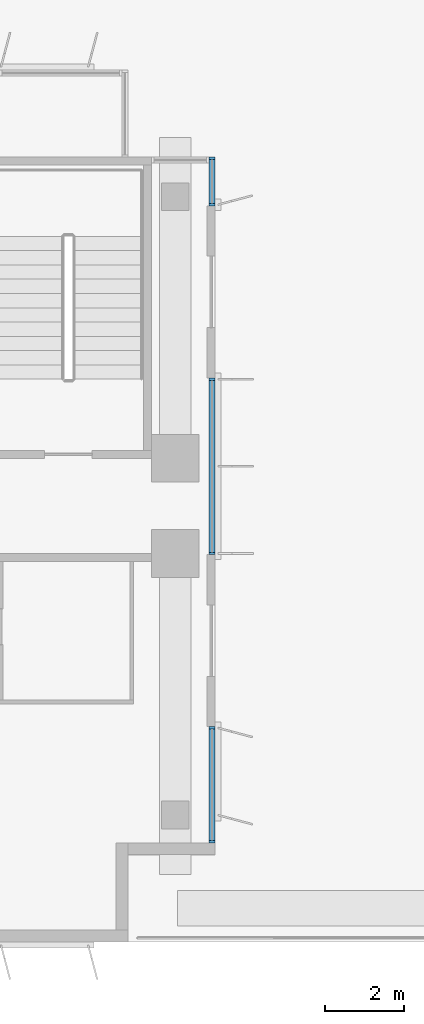
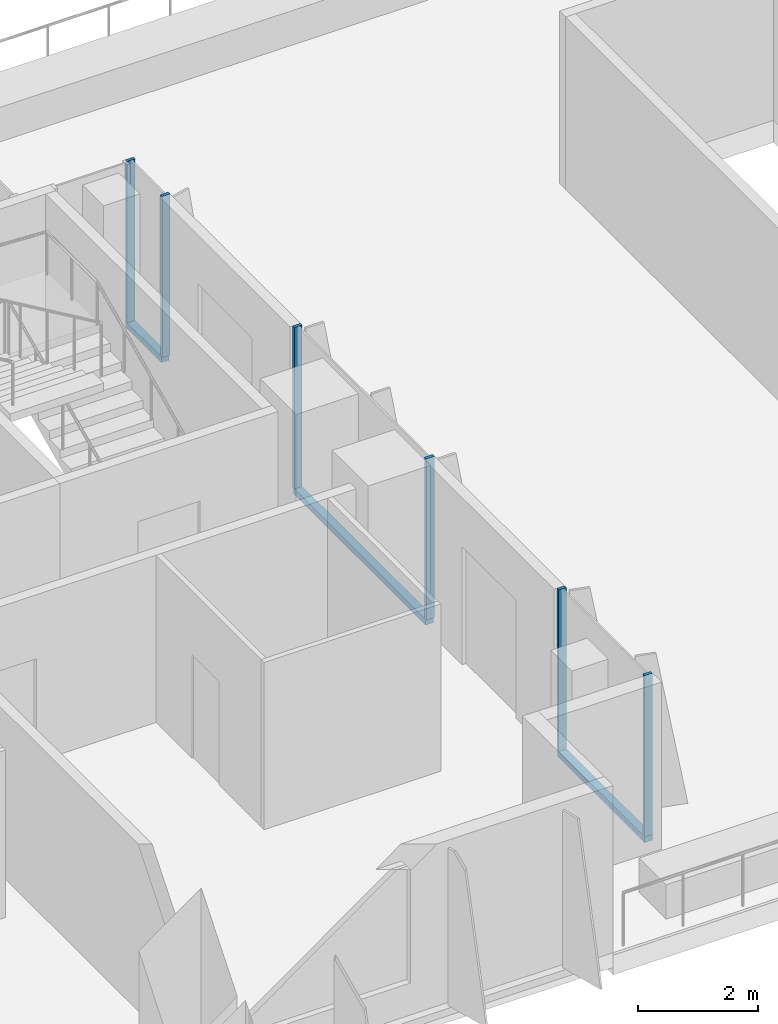
# One storey, part 8 of 27: 9 members, 3 elements without a shape of their own.
"""IFC4 building model written with IfcOpenShell, lengths in metres."""

from ifc_helpers import new_model, si_unit, direction, frame, origin, origin_2d, place, context, subcontext, project, spatial, rectangle, extrude, source, transform, mapped, material, material_profile, profile_set, type_object, element, aggregate, save


model = new_model("IFC4")

# Units and contexts
model_context = context("Model", 3, precision=1e-05, world=origin(), true_north=direction((0.0, 1.0)))
body_context = subcontext(model_context, "Body", "Model", "MODEL_VIEW")
ifc_project = project(units=[si_unit("LENGTHUNIT", "METRE"), si_unit("AREAUNIT", "SQUARE_METRE"), si_unit("VOLUMEUNIT", "CUBIC_METRE"), si_unit("PLANEANGLEUNIT", "RADIAN"), si_unit("MASSUNIT", "GRAM", prefix="KILO")], contexts=[model_context])

# Site, building, storey
site_placement = place(None, origin())
site = spatial("IfcSite", under=ifc_project, at=site_placement, CompositionType="ELEMENT")
building_placement = place(site_placement, origin())
building = spatial("IfcBuilding", under=site, at=building_placement, Name="Kemantara Hotel Tower", CompositionType="ELEMENT")
storey_placement = place(building_placement, frame((0.0, 0.0, 83.39990234375)))
storey = spatial("IfcBuildingStorey", under=building, at=storey_placement, Name="L19", CompositionType="ELEMENT", Elevation=83.39990234375)

# Curtain wall, member
ifc_material_1 = material(Name="Toughened tinted glass 32 mm", Category="glass")
curtain_wall_type = type_object("IfcCurtainWallType", Name="TERRACE GLAZING WALL", PredefinedType="USERDEFINED", material=ifc_material_1)
curtain_wall_1_placement = place(storey_placement, origin())
curtain_wall_1 = element("IfcCurtainWall", 1, at=curtain_wall_1_placement, inside=storey, type_object=curtain_wall_type, Name="CW6 L19 T2-R10-1", ObjectType="TERRACE GLAZING WALL", PredefinedType="USERDEFINED")
ifc_material_2 = material(Name="Aluminium 6063-T6 bronze anodised", Category="aluminium")
ifc_material_profile_1 = material_profile(ifc_material_2, rectangle(XDim=0.14990234375, YDim=0.1201171875, at=origin_2d()), Name="TERRACE GLAZING WALL TRANSOM")
ifc_profile_set_1 = profile_set([ifc_material_profile_1], Name="Aluminium 6063-T6 bronze anodised")
member_type_1 = type_object("IfcMemberType", Name="TERRACE GLAZING WALL TRANSOM", PredefinedType="USERDEFINED", material=ifc_profile_set_1)
member_1_placement = place(storey_placement, frame((63.52490234375, 2.5, 0.06005859375), z_axis=(0.0, 1.0, 0.0), x_axis=(-1.0, 0.0, 0.0)))
member_1 = element("IfcMember", 2, at=member_1_placement, type_object=member_type_1, Name="CW6 sill transom T2-R10-1", ObjectType="TRANSOM", PredefinedType="USERDEFINED", context=body_context, shape_type="SweptSolid", body=[
    extrude(rectangle(XDim=0.14990234375, YDim=0.1201171875, at=origin_2d()), origin(), (0.0, 0.0, 1.0), 2.89990234375),
])

curtain_wall_2_placement = place(storey_placement, origin())
curtain_wall_2 = element("IfcCurtainWall", 3, at=curtain_wall_2_placement, inside=storey, type_object=curtain_wall_type, Name="CW6 L19 T2-R10-2", ObjectType="TERRACE GLAZING WALL", PredefinedType="USERDEFINED")
member_2_placement = place(storey_placement, frame((63.52490234375, 9.800048828125, 0.06005859375), z_axis=(0.0, 1.0, 0.0), x_axis=(-1.0, 0.0, 0.0)))
member_2 = element("IfcMember", 4, at=member_2_placement, type_object=member_type_1, Name="CW6 sill transom T2-R10-2", ObjectType="TRANSOM", PredefinedType="USERDEFINED", context=body_context, shape_type="SweptSolid", body=[
    extrude(rectangle(XDim=0.14990234375, YDim=0.1201171875, at=origin_2d()), origin(), (0.0, 0.0, 1.0), 4.39990234375),
])

curtain_wall_3_placement = place(storey_placement, origin())
curtain_wall_3 = element("IfcCurtainWall", 5, at=curtain_wall_3_placement, inside=storey, type_object=curtain_wall_type, Name="CW6 L19 T2-R10-3", ObjectType="TERRACE GLAZING WALL", PredefinedType="USERDEFINED")
member_3_placement = place(storey_placement, frame((63.52490234375, 18.60009765625, 0.06005859375), z_axis=(0.0, 1.0, 0.0), x_axis=(-1.0, 0.0, 0.0)))
member_3 = element("IfcMember", 6, at=member_3_placement, type_object=member_type_1, Name="CW6 sill transom T2-R10-3", ObjectType="TRANSOM", PredefinedType="USERDEFINED", context=body_context, shape_type="SweptSolid", body=[
    extrude(rectangle(XDim=0.14990234375, YDim=0.1201171875, at=origin_2d()), origin(), (0.0, 0.0, 1.0), 1.199951171875),
])

# Member
ifc_material_profile_2 = material_profile(ifc_material_2, rectangle(XDim=0.14990234375, YDim=0.06005859375, at=origin_2d()), Name="TERRACE GLAZING WALL MULLION")
ifc_profile_set_2 = profile_set([ifc_material_profile_2], Name="Aluminium 6063-T6 bronze anodised")
member_type_2 = type_object("IfcMemberType", Name="TERRACE GLAZING WALL MULLION", PredefinedType="MULLION", material=ifc_profile_set_2)
shared_shape = source(origin(), body_context, "Body", "SweptSolid", [
    extrude(rectangle(XDim=0.14990234375, YDim=0.06005859375, at=origin_2d()), origin(), (0.0, 0.0, 1.0), 3.280029296875),
])
member_4_placement = place(storey_placement, frame((63.52490234375, 2.530029296875, 0.1201171875), z_axis=(0.0, 0.0, 1.0), x_axis=(-1.0, 0.0, 0.0)))
member_4 = element("IfcMember", 7, at=member_4_placement, type_object=member_type_2, Name="CW6 mullion T2-R10-1.1", PredefinedType="MULLION", context=body_context, shape_type="MappedRepresentation", body=[
    mapped(shared_shape, transform((0.0, 0.0, 0.0))),
])

member_5_placement = place(storey_placement, frame((63.52490234375, 5.39990234375, 0.1201171875), z_axis=(0.0, 0.0, 1.0), x_axis=(-1.0, 0.0, 0.0)))
member_5 = element("IfcMember", 8, at=member_5_placement, type_object=member_type_2, Name="CW6 mullion T2-R10-1.2", PredefinedType="MULLION", context=body_context, shape_type="MappedRepresentation", body=[
    mapped(shared_shape, transform((0.0, 0.0, 0.0))),
])

aggregate(curtain_wall_1, [member_1, member_4, member_5])

member_6_placement = place(storey_placement, frame((63.52490234375, 9.800048828125, 0.1201171875), z_axis=(0.0, 0.0, 1.0), x_axis=(-1.0, 0.0, 0.0)))
member_6 = element("IfcMember", 9, at=member_6_placement, type_object=member_type_2, Name="CW6 mullion T2-R10-2.1", PredefinedType="MULLION", context=body_context, shape_type="MappedRepresentation", body=[
    mapped(shared_shape, transform((0.0, 0.0, 0.0))),
])

member_7_placement = place(storey_placement, frame((63.52490234375, 14.199951171875, 0.1201171875), z_axis=(0.0, 0.0, 1.0), x_axis=(-1.0, 0.0, 0.0)))
member_7 = element("IfcMember", 10, at=member_7_placement, type_object=member_type_2, Name="CW6 mullion T2-R10-2.2", PredefinedType="MULLION", context=body_context, shape_type="MappedRepresentation", body=[
    mapped(shared_shape, transform((0.0, 0.0, 0.0))),
])

aggregate(curtain_wall_2, [member_2, member_6, member_7])

member_8_placement = place(storey_placement, frame((63.52490234375, 18.60009765625, 0.1201171875), z_axis=(0.0, 0.0, 1.0), x_axis=(-1.0, 0.0, 0.0)))
member_8 = element("IfcMember", 11, at=member_8_placement, type_object=member_type_2, Name="CW6 mullion T2-R10-3.1", PredefinedType="MULLION", context=body_context, shape_type="MappedRepresentation", body=[
    mapped(shared_shape, transform((0.0, 0.0, 0.0))),
])

member_9_placement = place(storey_placement, frame((63.52490234375, 19.77001953125, 0.1201171875), z_axis=(0.0, 0.0, 1.0), x_axis=(-1.0, 0.0, 0.0)))
member_9 = element("IfcMember", 12, at=member_9_placement, type_object=member_type_2, Name="CW6 mullion T2-R10-3.2", PredefinedType="MULLION", context=body_context, shape_type="MappedRepresentation", body=[
    mapped(shared_shape, transform((0.0, 0.0, 0.0))),
])

aggregate(curtain_wall_3, [member_3, member_8, member_9])

save(model, "model.ifc")
